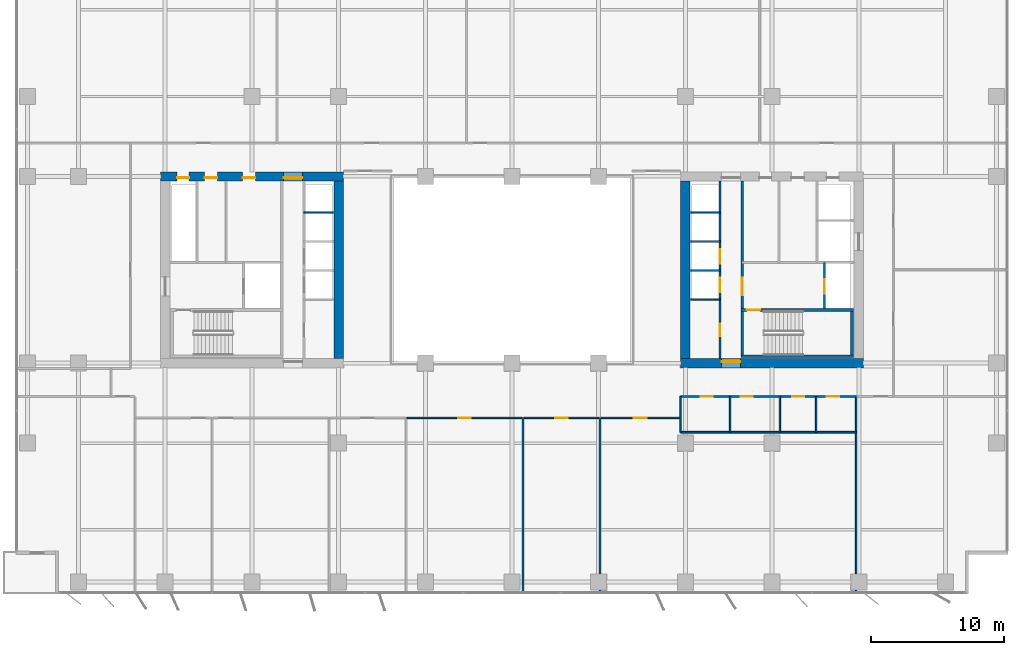
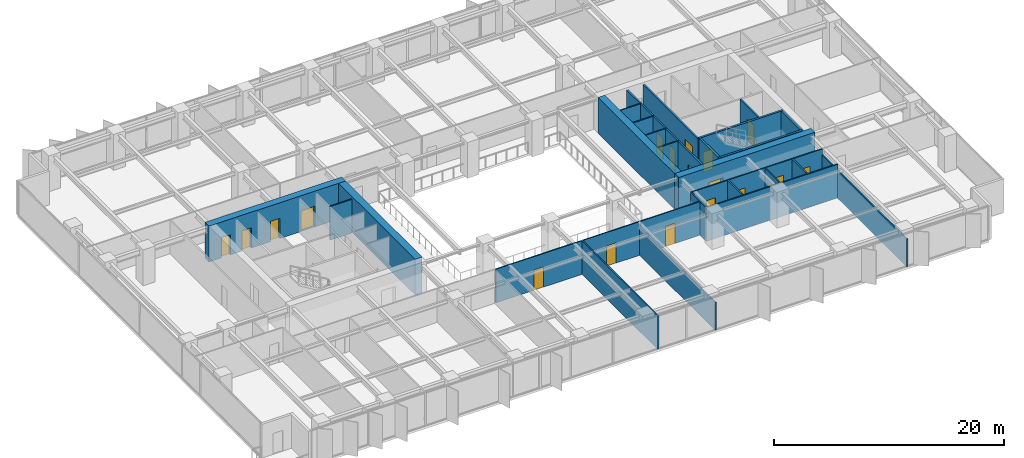
# One storey, part 14 of 20: 28 walls, 18 doors, 18 openings.
"""IFC4 building model written with IfcOpenShell, lengths in metres."""

from ifc_helpers import new_model, si_unit, direction, frame, frame_2d, origin, place, context, subcontext, project, spatial, rectangle, extrude, material, layer, layer_set, type_object, element, fill, save


model = new_model("IFC4")

# Units and contexts
model_context = context("Model", 3, precision=1e-05, world=origin(), true_north=direction((0.0, 1.0)))
body_context = subcontext(model_context, "Body", "Model", "MODEL_VIEW")
ifc_project = project(units=[si_unit("LENGTHUNIT", "METRE"), si_unit("AREAUNIT", "SQUARE_METRE"), si_unit("VOLUMEUNIT", "CUBIC_METRE"), si_unit("PLANEANGLEUNIT", "RADIAN"), si_unit("MASSUNIT", "GRAM", prefix="KILO")], contexts=[model_context])

# Site, building, storey
site_placement = place(None, origin())
site = spatial("IfcSite", under=ifc_project, at=site_placement, CompositionType="ELEMENT")
building_placement = place(site_placement, origin())
building = spatial("IfcBuilding", under=site, at=building_placement, Name="Putna Gate Headquarters", CompositionType="ELEMENT")
storey_placement = place(building_placement, frame((0.0, 0.0, 97.39990234375)))
storey = spatial("IfcBuildingStorey", under=building, at=storey_placement, Name="L23", CompositionType="ELEMENT", Elevation=97.39990234375)

# Wall, openings, doors
ifc_material_1 = material(Name="Concrete C60/75", Category="concrete")
ifc_layer_1 = layer(ifc_material_1, 0.699951171875)
ifc_layer_set_1 = layer_set([ifc_layer_1], Name="Concrete C60/75")
wall_type_1 = type_object("IfcWallType", Name="WALL-CORE-700", PredefinedType="SHEAR", material=ifc_layer_set_1)
wall_1_placement = place(storey_placement, frame((12.64990234375, 33.0, 0.0), z_axis=(0.0, 0.0, 1.0), x_axis=(1.0, 0.0, 0.0)))
wall_1 = element("IfcWall", 1, at=wall_1_placement, inside=storey, type_object=wall_type_1, Name="L23 WC Split Core Shear Wall N", PredefinedType="SHEAR", context=body_context, shape_type="SweptSolid", body=[
    extrude(rectangle(XDim=13.7001953125, YDim=0.699951171875, at=frame_2d((6.85009765625, 0.0))), origin(), (0.0, 0.0, 1.0), 3.800048828125),
])
opening_1_placement = place(wall_1_placement, frame((1.25, 0.0, 0.0)))
opening_1 = element("IfcOpeningElement", 2, at=opening_1_placement, cuts=wall_1, Name="Opening RD-90", PredefinedType="OPENING", context=body_context, shape_type="SweptSolid", body=[
    extrude(rectangle(XDim=0.89990234375, YDim=2.14990234375, at=frame_2d((0.449951171875, 1.074951171875))), frame((0.0, 0.35986328125, 0.0), z_axis=(0.0, -1.0, 0.0), x_axis=(1.0, 0.0, 0.0)), (0.0, 0.0, 1.0), 0.719970703125),
])
opening_2_placement = place(wall_1_placement, frame((3.300048828125, 0.0, 0.0)))
opening_2 = element("IfcOpeningElement", 3, at=opening_2_placement, cuts=wall_1, Name="Opening IDS-95", PredefinedType="OPENING", context=body_context, shape_type="SweptSolid", body=[
    extrude(rectangle(XDim=0.949951171875, YDim=2.14990234375, at=frame_2d((0.47509765625, 1.074951171875))), frame((0.0, 0.35986328125, 0.0), z_axis=(0.0, -1.0, 0.0), x_axis=(1.0, 0.0, 0.0)), (0.0, 0.0, 1.0), 0.719970703125),
])
opening_3_placement = place(wall_1_placement, frame((6.14990234375, 0.0, 0.0)))
opening_3 = element("IfcOpeningElement", 4, at=opening_3_placement, cuts=wall_1, Name="Opening IDS-95", PredefinedType="OPENING", context=body_context, shape_type="SweptSolid", body=[
    extrude(rectangle(XDim=0.949951171875, YDim=2.14990234375, at=frame_2d((0.47509765625, 1.074951171875))), frame((0.0, 0.35986328125, 0.0), z_axis=(0.0, -1.0, 0.0), x_axis=(1.0, 0.0, 0.0)), (0.0, 0.0, 1.0), 0.719970703125),
])
opening_4_placement = place(wall_1_placement, frame((9.22998046875, 0.0, 0.0)))
opening_4 = element("IfcOpeningElement", 5, at=opening_4_placement, cuts=wall_1, Name="Opening FDD-140", PredefinedType="OPENING", context=body_context, shape_type="SweptSolid", body=[
    extrude(rectangle(XDim=1.39990234375, YDim=2.199951171875, at=frame_2d((0.699951171875, 1.10009765625))), frame((0.0, 0.35986328125, 0.0), z_axis=(0.0, -1.0, 0.0), x_axis=(1.0, 0.0, 0.0)), (0.0, 0.0, 1.0), 0.719970703125),
])
ifc_material_2 = material(Name="Double steel fire door", Category="steel")
door_type_1 = type_object("IfcDoorType", Name="DOOR-FIRE-DBL-1400", OperationType="DOUBLE_DOOR_SINGLE_SWING", PredefinedType="DOOR", material=ifc_material_2)
door_1_placement = place(opening_4_placement, origin())
door_1 = element("IfcDoor", 6, at=door_1_placement, inside=storey, type_object=door_type_1, Name="L23 West Lift Lobby North Door", OperationType="DOUBLE_DOOR_SINGLE_SWING", OverallHeight=2.199951171875, OverallWidth=1.39990234375, PredefinedType="DOOR", context=body_context, shape_type="SweptSolid", body=[
    extrude(rectangle(XDim=1.39990234375, YDim=2.199951171875, at=frame_2d((0.699951171875, 1.10009765625))), frame((0.0, -0.0751953125, 0.0), z_axis=(0.0, -1.0, 0.0), x_axis=(1.0, 0.0, 0.0)), (0.0, 0.0, 1.0), 0.050048828125),
])
fill(opening_4, door_1)
ifc_material_3 = material(Name="Fire-rated service timber door", Category="wood")
door_type_2 = type_object("IfcDoorType", Name="DOOR-INT-950", OperationType="NOTDEFINED", PredefinedType="DOOR", material=ifc_material_3)
door_2_placement = place(opening_2_placement, origin())
door_2 = element("IfcDoor", 7, at=door_2_placement, inside=storey, type_object=door_type_2, Name="L23 Archive Store Door", OperationType="SINGLE_SWING_LEFT", OverallHeight=2.14990234375, OverallWidth=0.949951171875, PredefinedType="DOOR", context=body_context, shape_type="SweptSolid", body=[
    extrude(rectangle(XDim=0.949951171875, YDim=2.14990234375, at=frame_2d((0.47509765625, 1.074951171875))), frame((0.0, -0.0751953125, 0.0), z_axis=(0.0, -1.0, 0.0), x_axis=(1.0, 0.0, 0.0)), (0.0, 0.0, 1.0), 0.050048828125),
])
fill(opening_2, door_2)
door_3_placement = place(opening_3_placement, origin())
door_3 = element("IfcDoor", 8, at=door_3_placement, inside=storey, type_object=door_type_2, Name="L23 Switchgear Plant Door", OperationType="SINGLE_SWING_RIGHT", OverallHeight=2.14990234375, OverallWidth=0.949951171875, PredefinedType="DOOR", context=body_context, shape_type="SweptSolid", body=[
    extrude(rectangle(XDim=0.949951171875, YDim=2.14990234375, at=frame_2d((0.47509765625, 1.074951171875))), frame((0.0, -0.0751953125, 0.0), z_axis=(0.0, -1.0, 0.0), x_axis=(1.0, 0.0, 0.0)), (0.0, 0.0, 1.0), 0.050048828125),
])
fill(opening_3, door_3)
ifc_material_4 = material(Name="Steel riser access fire door", Category="steel")
door_type_3 = type_object("IfcDoorType", Name="DOOR-RISER-900", OperationType="NOTDEFINED", PredefinedType="DOOR", material=ifc_material_4)
door_4_placement = place(opening_1_placement, origin())
door_4 = element("IfcDoor", 9, at=door_4_placement, inside=storey, type_object=door_type_3, Name="L23 West Riser Access Door", OperationType="SINGLE_SWING_RIGHT", OverallHeight=2.14990234375, OverallWidth=0.89990234375, PredefinedType="DOOR", context=body_context, shape_type="SweptSolid", body=[
    extrude(rectangle(XDim=0.89990234375, YDim=2.14990234375, at=frame_2d((0.449951171875, 1.074951171875))), frame((0.0, -0.0751953125, 0.0), z_axis=(0.0, -1.0, 0.0), x_axis=(1.0, 0.0, 0.0)), (0.0, 0.0, 1.0), 0.050048828125),
])
fill(opening_1, door_4)

# Wall
wall_2_placement = place(storey_placement, frame((26.0, 19.35009765625, 0.0), z_axis=(0.0, 0.0, 1.0), x_axis=(0.0, 1.0, 0.0)))
element("IfcWall", 10, at=wall_2_placement, inside=storey, type_object=wall_type_1, Name="L23 WC Split Core Shear Wall E", PredefinedType="SHEAR", context=body_context, shape_type="SweptSolid", body=[
    extrude(rectangle(XDim=13.2998046875, YDim=0.699951171875, at=frame_2d((6.64990234375, 0.0))), origin(), (0.0, 0.0, 1.0), 3.800048828125),
])

# Wall, opening, door
wall_3_placement = place(storey_placement, frame((51.64990234375, 19.0, 0.0), z_axis=(0.0, 0.0, 1.0), x_axis=(1.0, 0.0, 0.0)))
wall_3 = element("IfcWall", 11, at=wall_3_placement, inside=storey, type_object=wall_type_1, Name="L23 EC Split Core Shear Wall S", PredefinedType="SHEAR", context=body_context, shape_type="SweptSolid", body=[
    extrude(rectangle(XDim=13.7001953125, YDim=0.699951171875, at=frame_2d((6.85009765625, 0.0))), origin(), (0.0, 0.0, 1.0), 3.800048828125),
])
opening_5_placement = place(wall_3_placement, frame((3.070068359375, 0.0, 0.0)))
opening_5 = element("IfcOpeningElement", 12, at=opening_5_placement, cuts=wall_3, Name="Opening FDD-140", PredefinedType="OPENING", context=body_context, shape_type="SweptSolid", body=[
    extrude(rectangle(XDim=1.39990234375, YDim=2.199951171875, at=frame_2d((0.699951171875, 1.10009765625))), frame((0.0, 0.35986328125, 0.0), z_axis=(0.0, -1.0, 0.0), x_axis=(1.0, 0.0, 0.0)), (0.0, 0.0, 1.0), 0.719970703125),
])
door_5_placement = place(opening_5_placement, origin())
door_5 = element("IfcDoor", 13, at=door_5_placement, inside=storey, type_object=door_type_1, Name="L23 East Lift Lobby South Door", OperationType="DOUBLE_DOOR_SINGLE_SWING", OverallHeight=2.199951171875, OverallWidth=1.39990234375, PredefinedType="DOOR", context=body_context, shape_type="SweptSolid", body=[
    extrude(rectangle(XDim=1.39990234375, YDim=2.199951171875, at=frame_2d((0.699951171875, 1.10009765625))), frame((0.0, 0.125, 0.0), z_axis=(0.0, -1.0, 0.0), x_axis=(1.0, 0.0, 0.0)), (0.0, 0.0, 1.0), 0.050048828125),
])
fill(opening_5, door_5)

# Walls
wall_4_placement = place(storey_placement, frame((52.0, 19.35009765625, 0.0), z_axis=(0.0, 0.0, 1.0), x_axis=(0.0, 1.0, 0.0)))
element("IfcWall", 14, at=wall_4_placement, inside=storey, type_object=wall_type_1, Name="L23 EC Split Core Shear Wall W", PredefinedType="SHEAR", context=body_context, shape_type="SweptSolid", body=[
    extrude(rectangle(XDim=13.2998046875, YDim=0.699951171875, at=frame_2d((6.64990234375, 0.0))), origin(), (0.0, 0.0, 1.0), 3.800048828125),
])
ifc_material_5 = material(Name="Acoustic gypsum board on metal stud")
ifc_layer_2 = layer(ifc_material_5, 0.1201171875)
ifc_layer_set_2 = layer_set([ifc_layer_2], Name="Acoustic gypsum board on metal stud")
wall_type_2 = type_object("IfcWallType", Name="WALL-PART-120", PredefinedType="PARTITIONING", material=ifc_layer_set_2)
wall_5_placement = place(storey_placement, frame((39.826904296875, 1.719970703125, 0.0), z_axis=(0.0, 0.0, 1.0), x_axis=(0.0, 1.0, 0.0)))
element("IfcWall", 15, at=wall_5_placement, inside=storey, type_object=wall_type_2, Name="L23 Interior Wall PART-L23-SB-DIV-05", PredefinedType="PARTITIONING", context=body_context, shape_type="SweptSolid", body=[
    extrude(rectangle(XDim=13.1201171875, YDim=0.1201171875, at=frame_2d((6.56005859375, 0.0))), origin(), (0.0, 0.0, 1.0), 3.565185546875),
])
wall_6_placement = place(storey_placement, frame((45.60009765625, 1.719970703125, 0.0), z_axis=(0.0, 0.0, 1.0), x_axis=(0.0, 1.0, 0.0)))
element("IfcWall", 16, at=wall_6_placement, inside=storey, type_object=wall_type_2, Name="L23 Interior Wall PART-L23-SB-DIV-06", PredefinedType="PARTITIONING", context=body_context, shape_type="SweptSolid", body=[
    extrude(rectangle(XDim=13.1201171875, YDim=0.1201171875, at=frame_2d((6.56005859375, 0.0))), origin(), (0.0, 0.0, 1.0), 2.965087890625),
])
wall_7_placement = place(storey_placement, frame((64.800048828125, 1.719970703125, 0.0), z_axis=(0.0, 0.0, 1.0), x_axis=(0.0, 1.0, 0.0)))
element("IfcWall", 17, at=wall_7_placement, inside=storey, type_object=wall_type_2, Name="L23 Interior Wall PART-L23-SB-DIV-07", PredefinedType="PARTITIONING", context=body_context, shape_type="SweptSolid", body=[
    extrude(rectangle(XDim=14.719970703125, YDim=0.1201171875, at=frame_2d((7.35986328125, 0.0))), origin(), (0.0, 0.0, 1.0), 2.965087890625),
])
ifc_material_6 = material(Name="Fire-rated shaftwall gypsum board on metal stud")
ifc_layer_3 = layer(ifc_material_6, 0.1201171875)
ifc_layer_set_3 = layer_set([ifc_layer_3], Name="Fire-rated shaftwall gypsum board on metal stud")
wall_type_3 = type_object("IfcWallType", Name="WALL-PART-120-EI120", PredefinedType="PARTITIONING", material=ifc_layer_set_3)
for number, where, z_axis, x_axis, name in (
    (18, (23.39990234375, 30.31005859375, 0.0), (0.0, 0.0, 1.0), (1.0, 0.0, 0.0), "L23 Interior Wall CWINT-L23-WC-LF09-DIV"),
    (19, (52.39990234375, 25.949951171875, 0.0), (0.0, 0.0, 1.0), (1.0, 0.0, 0.0), "L23 Interior Wall CWINT-L23-EC-LF07-DIV"),
    (20, (52.39990234375, 28.1201171875, 0.0), (0.0, 0.0, 1.0), (1.0, 0.0, 0.0), "L23 Interior Wall CWINT-L23-EC-LF08-DIV"),
    (21, (52.39990234375, 30.31005859375, 0.0), (0.0, 0.0, 1.0), (1.0, 0.0, 0.0), "L23 Interior Wall CWINT-L23-EC-LF11-DIV"),
):
    element("IfcWall", number, at=place(storey_placement, frame(where, z_axis=z_axis, x_axis=x_axis)), inside=storey, type_object=wall_type_3, Name=name, PredefinedType="PARTITIONING", context=body_context, shape_type="SweptSolid", body=[
        extrude(rectangle(XDim=2.2001953125, YDim=0.1201171875, at=frame_2d((1.10009765625, 0.0))), origin(), (0.0, 0.0, 1.0), 3.565185546875),
    ])
ifc_material_7 = material(Name="Fire-rated gypsum board on metal stud")
ifc_layer_4 = layer(ifc_material_7, 0.1201171875)
ifc_layer_set_4 = layer_set([ifc_layer_4], Name="Fire-rated gypsum board on metal stud")
wall_type_4 = type_object("IfcWallType", Name="WALL-PART-120-RATED", PredefinedType="PARTITIONING", material=ifc_layer_set_4)
wall_8_placement = place(storey_placement, frame((52.39990234375, 23.780029296875, 0.0), z_axis=(0.0, 0.0, 1.0), x_axis=(1.0, 0.0, 0.0)))
element("IfcWall", 22, at=wall_8_placement, inside=storey, type_object=wall_type_4, Name="L23 Interior Wall CWINT-L23-EC-LF04-DIV", PredefinedType="PARTITIONING", context=body_context, shape_type="SweptSolid", body=[
    extrude(rectangle(XDim=2.2001953125, YDim=0.1201171875, at=frame_2d((1.10009765625, 0.0))), origin(), (0.0, 0.0, 1.0), 3.565185546875),
])

# Wall, openings, doors
wall_9_placement = place(storey_placement, frame((51.639892578125, 16.5, 0.0), z_axis=(0.0, 0.0, 1.0), x_axis=(1.0, 0.0, 0.0)))
wall_9 = element("IfcWall", 23, at=wall_9_placement, inside=storey, type_object=wall_type_4, Name="L23 Interior Wall PART-L23-SAN-CW", PredefinedType="PARTITIONING", context=body_context, shape_type="SweptSolid", body=[
    extrude(rectangle(XDim=13.16015625, YDim=0.1201171875, at=frame_2d((6.580078125, 0.0))), origin(), (0.0, 0.0, 1.0), 3.565185546875),
])
opening_6_placement = place(wall_9_placement, frame((1.510009765625, 0.0, 0.0)))
opening_6 = element("IfcOpeningElement", 24, at=opening_6_placement, cuts=wall_9, Name="Opening FD-90", PredefinedType="OPENING", context=body_context, shape_type="SweptSolid", body=[
    extrude(rectangle(XDim=0.89990234375, YDim=2.14990234375, at=frame_2d((0.449951171875, 1.074951171875))), frame((0.0, 0.070068359375, 0.0), z_axis=(0.0, -1.0, 0.0), x_axis=(1.0, 0.0, 0.0)), (0.0, 0.0, 1.0), 0.14013671875),
])
opening_7_placement = place(wall_9_placement, frame((4.510009765625, 0.0, 0.0)))
opening_7 = element("IfcOpeningElement", 25, at=opening_7_placement, cuts=wall_9, Name="Opening FD-90", PredefinedType="OPENING", context=body_context, shape_type="SweptSolid", body=[
    extrude(rectangle(XDim=0.89990234375, YDim=2.14990234375, at=frame_2d((0.449951171875, 1.074951171875))), frame((0.0, 0.070068359375, 0.0), z_axis=(0.0, -1.0, 0.0), x_axis=(1.0, 0.0, 0.0)), (0.0, 0.0, 1.0), 0.14013671875),
])
opening_8_placement = place(wall_9_placement, frame((8.360107421875, 0.0, 0.0)))
opening_8 = element("IfcOpeningElement", 26, at=opening_8_placement, cuts=wall_9, Name="Opening FD-90", PredefinedType="OPENING", context=body_context, shape_type="SweptSolid", body=[
    extrude(rectangle(XDim=0.89990234375, YDim=2.14990234375, at=frame_2d((0.449951171875, 1.074951171875))), frame((0.0, 0.070068359375, 0.0), z_axis=(0.0, -1.0, 0.0), x_axis=(1.0, 0.0, 0.0)), (0.0, 0.0, 1.0), 0.14013671875),
])
opening_9_placement = place(wall_9_placement, frame((10.9599609375, 0.0, 0.0)))
opening_9 = element("IfcOpeningElement", 27, at=opening_9_placement, cuts=wall_9, Name="Opening FD-95", PredefinedType="OPENING", context=body_context, shape_type="SweptSolid", body=[
    extrude(rectangle(XDim=0.949951171875, YDim=2.14990234375, at=frame_2d((0.47509765625, 1.074951171875))), frame((0.0, 0.070068359375, 0.0), z_axis=(0.0, -1.0, 0.0), x_axis=(1.0, 0.0, 0.0)), (0.0, 0.0, 1.0), 0.14013671875),
])
ifc_material_8 = material(Name="Acoustic washroom fire door")
door_type_4 = type_object("IfcDoorType", Name="DOOR-FIRE-900", OperationType="NOTDEFINED", PredefinedType="DOOR", material=ifc_material_8)
door_6_placement = place(opening_6_placement, origin())
door_6 = element("IfcDoor", 28, at=door_6_placement, inside=storey, type_object=door_type_4, Name="L23 Washroom Male Door", OperationType="SINGLE_SWING_LEFT", OverallHeight=2.14990234375, OverallWidth=0.89990234375, PredefinedType="DOOR", context=body_context, shape_type="SweptSolid", body=[
    extrude(rectangle(XDim=0.89990234375, YDim=2.14990234375, at=frame_2d((0.449951171875, 1.074951171875))), frame((0.0, 0.02490234375, 0.0), z_axis=(0.0, -1.0, 0.0), x_axis=(1.0, 0.0, 0.0)), (0.0, 0.0, 1.0), 0.050048828125),
])
fill(opening_6, door_6)
door_7_placement = place(opening_7_placement, origin())
door_7 = element("IfcDoor", 29, at=door_7_placement, inside=storey, type_object=door_type_4, Name="L23 Washroom Female Door", OperationType="SINGLE_SWING_RIGHT", OverallHeight=2.14990234375, OverallWidth=0.89990234375, PredefinedType="DOOR", context=body_context, shape_type="SweptSolid", body=[
    extrude(rectangle(XDim=0.89990234375, YDim=2.14990234375, at=frame_2d((0.449951171875, 1.074951171875))), frame((0.0, 0.02490234375, 0.0), z_axis=(0.0, -1.0, 0.0), x_axis=(1.0, 0.0, 0.0)), (0.0, 0.0, 1.0), 0.050048828125),
])
fill(opening_7, door_7)
door_8_placement = place(opening_8_placement, origin())
door_8 = element("IfcDoor", 30, at=door_8_placement, inside=storey, type_object=door_type_4, Name="L23 Accessible WC Door", OperationType="SINGLE_SWING_LEFT", OverallHeight=2.14990234375, OverallWidth=0.89990234375, PredefinedType="DOOR", context=body_context, shape_type="SweptSolid", body=[
    extrude(rectangle(XDim=0.89990234375, YDim=2.14990234375, at=frame_2d((0.449951171875, 1.074951171875))), frame((0.0, 0.02490234375, 0.0), z_axis=(0.0, -1.0, 0.0), x_axis=(1.0, 0.0, 0.0)), (0.0, 0.0, 1.0), 0.050048828125),
])
fill(opening_8, door_8)
ifc_material_9 = material(Name="Acoustic timber fire door", Category="wood")
door_type_5 = type_object("IfcDoorType", Name="DOOR-FIRE-950", OperationType="NOTDEFINED", PredefinedType="DOOR", material=ifc_material_9)
door_9_placement = place(opening_9_placement, origin())
door_9 = element("IfcDoor", 31, at=door_9_placement, inside=storey, type_object=door_type_5, Name="L23 Staff Pantry and Tea Point Door", OperationType="SINGLE_SWING_RIGHT", OverallHeight=2.14990234375, OverallWidth=0.949951171875, PredefinedType="DOOR", context=body_context, shape_type="SweptSolid", body=[
    extrude(rectangle(XDim=0.949951171875, YDim=2.14990234375, at=frame_2d((0.47509765625, 1.074951171875))), frame((0.0, 0.02490234375, 0.0), z_axis=(0.0, -1.0, 0.0), x_axis=(1.0, 0.0, 0.0)), (0.0, 0.0, 1.0), 0.050048828125),
])
fill(opening_9, door_9)

# Walls
wall_10_placement = place(storey_placement, frame((51.639892578125, 13.820068359375, 0.0), z_axis=(0.0, 0.0, 1.0), x_axis=(1.0, 0.0, 0.0)))
element("IfcWall", 32, at=wall_10_placement, inside=storey, type_object=wall_type_4, Name="L23 Interior Wall PART-L23-SAN-BACK", PredefinedType="PARTITIONING", context=body_context, shape_type="SweptSolid", body=[
    extrude(rectangle(XDim=13.16015625, YDim=0.1201171875, at=frame_2d((6.580078125, 0.0))), origin(), (0.0, 0.0, 1.0), 3.565185546875),
])
for number, where, z_axis, x_axis, name in (
    (33, (51.639892578125, 13.820068359375, 0.0), (0.0, 0.0, 1.0), (0.0, 1.0, 0.0), "L23 Interior Wall PART-L23-SAN-DIV-1"),
    (34, (55.360107421875, 13.820068359375, 0.0), (0.0, 0.0, 1.0), (0.0, 1.0, 0.0), "L23 Interior Wall PART-L23-SAN-DIV-2"),
    (35, (59.080078125, 13.820068359375, 0.0), (0.0, 0.0, 1.0), (0.0, 1.0, 0.0), "L23 Interior Wall PART-L23-SAN-DIV-3"),
    (36, (61.800048828125, 13.820068359375, 0.0), (0.0, 0.0, 1.0), (0.0, 1.0, 0.0), "L23 Interior Wall PART-L23-SAN-DIV-4"),
):
    element("IfcWall", number, at=place(storey_placement, frame(where, z_axis=z_axis, x_axis=x_axis)), inside=storey, type_object=wall_type_4, Name=name, PredefinedType="PARTITIONING", context=body_context, shape_type="SweptSolid", body=[
        extrude(rectangle(XDim=2.679931640625, YDim=0.1201171875, at=frame_2d((1.33984375, 0.0))), origin(), (0.0, 0.0, 1.0), 3.565185546875),
    ])

# Wall, opening, door
wall_11_placement = place(storey_placement, frame((31.1201171875, 14.89990234375, 0.0), z_axis=(0.0, 0.0, 1.0), x_axis=(1.0, 0.0, 0.0)))
wall_11 = element("IfcWall", 37, at=wall_11_placement, inside=storey, type_object=wall_type_4, Name="L23 Interior Wall PART-L23-SB-CW-05", PredefinedType="PARTITIONING", context=body_context, shape_type="SweptSolid", body=[
    extrude(rectangle(XDim=8.646728515625, YDim=0.1201171875, at=frame_2d((4.3232421875, 0.0))), origin(), (0.0, 0.0, 1.0), 3.565185546875),
])
opening_10_placement = place(wall_11_placement, frame((3.848388671875, 0.0, 0.0)))
opening_10 = element("IfcOpeningElement", 38, at=opening_10_placement, cuts=wall_11, Name="Opening FD-95", PredefinedType="OPENING", context=body_context, shape_type="SweptSolid", body=[
    extrude(rectangle(XDim=0.949951171875, YDim=2.14990234375, at=frame_2d((0.47509765625, 1.074951171875))), frame((0.0, 0.070068359375, 0.0), z_axis=(0.0, -1.0, 0.0), x_axis=(1.0, 0.0, 0.0)), (0.0, 0.0, 1.0), 0.14013671875),
])
door_10_placement = place(opening_10_placement, origin())
door_10 = element("IfcDoor", 39, at=door_10_placement, inside=storey, type_object=door_type_5, Name="L23 Collaborative Breakout Lounge 1 Door", OperationType="SINGLE_SWING_LEFT", OverallHeight=2.14990234375, OverallWidth=0.949951171875, PredefinedType="DOOR", context=body_context, shape_type="SweptSolid", body=[
    extrude(rectangle(XDim=0.949951171875, YDim=2.14990234375, at=frame_2d((0.47509765625, 1.074951171875))), frame((0.0, 0.02490234375, 0.0), z_axis=(0.0, -1.0, 0.0), x_axis=(1.0, 0.0, 0.0)), (0.0, 0.0, 1.0), 0.050048828125),
])
fill(opening_10, door_10)

wall_12_placement = place(storey_placement, frame((39.88671875, 14.89990234375, 0.0), z_axis=(0.0, 0.0, 1.0), x_axis=(1.0, 0.0, 0.0)))
wall_12 = element("IfcWall", 40, at=wall_12_placement, inside=storey, type_object=wall_type_4, Name="L23 Interior Wall PART-L23-SB-CW-06", PredefinedType="PARTITIONING", context=body_context, shape_type="SweptSolid", body=[
    extrude(rectangle(XDim=5.6533203125, YDim=0.1201171875, at=frame_2d((2.82666015625, 0.0))), origin(), (0.0, 0.0, 1.0), 3.565185546875),
])
opening_11_placement = place(wall_12_placement, frame((2.3515625, 0.0, 0.0)))
opening_11 = element("IfcOpeningElement", 41, at=opening_11_placement, cuts=wall_12, Name="Opening FD-95", PredefinedType="OPENING", context=body_context, shape_type="SweptSolid", body=[
    extrude(rectangle(XDim=0.949951171875, YDim=2.14990234375, at=frame_2d((0.47509765625, 1.074951171875))), frame((0.0, 0.070068359375, 0.0), z_axis=(0.0, -1.0, 0.0), x_axis=(1.0, 0.0, 0.0)), (0.0, 0.0, 1.0), 0.14013671875),
])
door_11_placement = place(opening_11_placement, origin())
door_11 = element("IfcDoor", 42, at=door_11_placement, inside=storey, type_object=door_type_5, Name="L23 Collaborative Breakout Lounge 2 Door", OperationType="SINGLE_SWING_RIGHT", OverallHeight=2.14990234375, OverallWidth=0.949951171875, PredefinedType="DOOR", context=body_context, shape_type="SweptSolid", body=[
    extrude(rectangle(XDim=0.949951171875, YDim=2.14990234375, at=frame_2d((0.47509765625, 1.074951171875))), frame((0.0, 0.02490234375, 0.0), z_axis=(0.0, -1.0, 0.0), x_axis=(1.0, 0.0, 0.0)), (0.0, 0.0, 1.0), 0.050048828125),
])
fill(opening_11, door_11)

wall_13_placement = place(storey_placement, frame((45.659912109375, 14.89990234375, 0.0), z_axis=(0.0, 0.0, 1.0), x_axis=(1.0, 0.0, 0.0)))
wall_13 = element("IfcWall", 43, at=wall_13_placement, inside=storey, type_object=wall_type_4, Name="L23 Interior Wall PART-L23-SB-CW-07", PredefinedType="PARTITIONING", context=body_context, shape_type="SweptSolid", body=[
    extrude(rectangle(XDim=5.920166015625, YDim=0.1201171875, at=frame_2d((2.9599609375, 0.0))), origin(), (0.0, 0.0, 1.0), 3.565185546875),
])
opening_12_placement = place(wall_13_placement, frame((2.485107421875, 0.0, 0.0)))
opening_12 = element("IfcOpeningElement", 44, at=opening_12_placement, cuts=wall_13, Name="Opening FD-95", PredefinedType="OPENING", context=body_context, shape_type="SweptSolid", body=[
    extrude(rectangle(XDim=0.949951171875, YDim=2.14990234375, at=frame_2d((0.47509765625, 1.074951171875))), frame((0.0, 0.070068359375, 0.0), z_axis=(0.0, -1.0, 0.0), x_axis=(1.0, 0.0, 0.0)), (0.0, 0.0, 1.0), 0.14013671875),
])
door_12_placement = place(opening_12_placement, origin())
door_12 = element("IfcDoor", 45, at=door_12_placement, inside=storey, type_object=door_type_5, Name="L23 Primary Open Office Workplace Door", OperationType="SINGLE_SWING_LEFT", OverallHeight=2.14990234375, OverallWidth=0.949951171875, PredefinedType="DOOR", context=body_context, shape_type="SweptSolid", body=[
    extrude(rectangle(XDim=0.949951171875, YDim=2.14990234375, at=frame_2d((0.47509765625, 1.074951171875))), frame((0.0, 0.02490234375, 0.0), z_axis=(0.0, -1.0, 0.0), x_axis=(1.0, 0.0, 0.0)), (0.0, 0.0, 1.0), 0.050048828125),
])
fill(opening_12, door_12)

# Wall, openings, doors
ifc_material_10 = material(Name="Concrete C40/50", Category="concrete")
ifc_layer_5 = layer(ifc_material_10, 0.159912109375)
ifc_layer_set_5 = layer_set([ifc_layer_5], Name="Concrete C40/50")
wall_type_5 = type_object("IfcWallType", Name="WALL-SHAFT-160", PredefinedType="STANDARD", material=ifc_layer_set_5)
wall_14_placement = place(storey_placement, frame((54.60009765625, 19.35009765625, 0.0), z_axis=(0.0, 0.0, 1.0), x_axis=(0.0, 1.0, 0.0)))
wall_14 = element("IfcWall", 46, at=wall_14_placement, inside=storey, type_object=wall_type_5, Name="L23 Interior Wall CWINT-L23-EC-PL-WALL", PredefinedType="STANDARD", context=body_context, shape_type="SweptSolid", body=[
    extrude(rectangle(XDim=13.2998046875, YDim=0.159912109375, at=frame_2d((6.64990234375, 0.0))), origin(), (0.0, 0.0, 1.0), 3.565185546875),
])
opening_13_placement = place(wall_14_placement, frame((1.64990234375, 0.0, 0.0)))
opening_13 = element("IfcOpeningElement", 47, at=opening_13_placement, cuts=wall_14, Name="Opening IDS-95", PredefinedType="OPENING", context=body_context, shape_type="SweptSolid", body=[
    extrude(rectangle(XDim=0.949951171875, YDim=2.14990234375, at=frame_2d((0.47509765625, 1.074951171875))), frame((0.0, 0.08984375, 0.0), z_axis=(0.0, -1.0, 0.0), x_axis=(1.0, 0.0, 0.0)), (0.0, 0.0, 1.0), 0.179931640625),
])
opening_14_placement = place(wall_14_placement, frame((4.949951171875, 0.0, 0.0)))
opening_14 = element("IfcOpeningElement", 48, at=opening_14_placement, cuts=wall_14, Name="Opening LD-1", PredefinedType="OPENING", context=body_context, shape_type="SweptSolid", body=[
    extrude(rectangle(XDim=1.10009765625, YDim=2.199951171875, at=frame_2d((0.550048828125, 1.10009765625))), frame((0.0, 0.08984375, 0.0), z_axis=(0.0, -1.0, 0.0), x_axis=(1.0, 0.0, 0.0)), (0.0, 0.0, 1.0), 0.179931640625),
])
opening_15_placement = place(wall_14_placement, frame((7.10009765625, 0.0, 0.0)))
opening_15 = element("IfcOpeningElement", 49, at=opening_15_placement, cuts=wall_14, Name="Opening LD-1", PredefinedType="OPENING", context=body_context, shape_type="SweptSolid", body=[
    extrude(rectangle(XDim=1.10009765625, YDim=2.199951171875, at=frame_2d((0.550048828125, 1.10009765625))), frame((0.0, 0.08984375, 0.0), z_axis=(0.0, -1.0, 0.0), x_axis=(1.0, 0.0, 0.0)), (0.0, 0.0, 1.0), 0.179931640625),
])
door_13_placement = place(opening_13_placement, origin())
door_13 = element("IfcDoor", 50, at=door_13_placement, inside=storey, type_object=door_type_2, Name="L23 Stationery Store Door", OperationType="SINGLE_SWING_RIGHT", OverallHeight=2.14990234375, OverallWidth=0.949951171875, PredefinedType="DOOR", context=body_context, shape_type="SweptSolid", body=[
    extrude(rectangle(XDim=0.949951171875, YDim=2.14990234375, at=frame_2d((0.47509765625, 1.074951171875))), frame((0.0, 0.02490234375, 0.0), z_axis=(0.0, -1.0, 0.0), x_axis=(1.0, 0.0, 0.0)), (0.0, 0.0, 1.0), 0.050048828125),
])
fill(opening_13, door_13)
ifc_material_11 = material(Name="Brushed bronze stainless lift landing door")
door_type_6 = type_object("IfcDoorType", Name="DOOR-LIFT-1100", OperationType="DOUBLE_DOOR_SLIDING", PredefinedType="DOOR", material=ifc_material_11)
door_14_placement = place(opening_14_placement, origin())
door_14 = element("IfcDoor", 51, at=door_14_placement, inside=storey, type_object=door_type_6, Name="L23 Lift Landing Door LD-07", OperationType="DOUBLE_DOOR_SLIDING", OverallHeight=2.199951171875, OverallWidth=1.10009765625, PredefinedType="DOOR", context=body_context, shape_type="SweptSolid", body=[
    extrude(rectangle(XDim=1.10009765625, YDim=2.199951171875, at=frame_2d((0.550048828125, 1.10009765625))), frame((0.0, 0.02490234375, 0.0), z_axis=(0.0, -1.0, 0.0), x_axis=(1.0, 0.0, 0.0)), (0.0, 0.0, 1.0), 0.050048828125),
])
fill(opening_14, door_14)
door_15_placement = place(opening_15_placement, origin())
door_15 = element("IfcDoor", 52, at=door_15_placement, inside=storey, type_object=door_type_6, Name="L23 Lift Landing Door LD-08", OperationType="DOUBLE_DOOR_SLIDING", OverallHeight=2.199951171875, OverallWidth=1.10009765625, PredefinedType="DOOR", context=body_context, shape_type="SweptSolid", body=[
    extrude(rectangle(XDim=1.10009765625, YDim=2.199951171875, at=frame_2d((0.550048828125, 1.10009765625))), frame((0.0, 0.02490234375, 0.0), z_axis=(0.0, -1.0, 0.0), x_axis=(1.0, 0.0, 0.0)), (0.0, 0.0, 1.0), 0.050048828125),
])
fill(opening_15, door_15)

# Wall, opening, door
wall_15_placement = place(storey_placement, frame((56.260009765625, 23.090087890625, 0.0), z_axis=(0.0, 0.0, 1.0), x_axis=(0.0, 1.0, 0.0)))
wall_15 = element("IfcWall", 53, at=wall_15_placement, inside=storey, type_object=wall_type_5, Name="L23 Interior Wall CWINT-L23-EC-LOB-E", PredefinedType="STANDARD", context=body_context, shape_type="SweptSolid", body=[
    extrude(rectangle(XDim=9.559814453125, YDim=0.159912109375, at=frame_2d((4.77978515625, 0.0))), origin(), (0.0, 0.0, 1.0), 3.565185546875),
])
opening_16_placement = place(wall_15_placement, frame((1.010009765625, 0.0, 0.0)))
opening_16 = element("IfcOpeningElement", 54, at=opening_16_placement, cuts=wall_15, Name="Opening FDD-130", PredefinedType="OPENING", context=body_context, shape_type="SweptSolid", body=[
    extrude(rectangle(XDim=1.300048828125, YDim=2.199951171875, at=frame_2d((0.64990234375, 1.10009765625))), frame((0.0, 0.08984375, 0.0), z_axis=(0.0, -1.0, 0.0), x_axis=(1.0, 0.0, 0.0)), (0.0, 0.0, 1.0), 0.179931640625),
])
ifc_material_12 = material(Name="Double steel lobby fire door", Category="steel")
door_type_7 = type_object("IfcDoorType", Name="DOOR-FIRE-DBL-1300", OperationType="DOUBLE_DOOR_SINGLE_SWING", PredefinedType="DOOR", material=ifc_material_12)
door_16_placement = place(opening_16_placement, origin())
door_16 = element("IfcDoor", 55, at=door_16_placement, inside=storey, type_object=door_type_7, Name="L23 East Firefighting Lobby Door", OperationType="DOUBLE_DOOR_SINGLE_SWING", OverallHeight=2.199951171875, OverallWidth=1.300048828125, PredefinedType="DOOR", context=body_context, shape_type="SweptSolid", body=[
    extrude(rectangle(XDim=1.300048828125, YDim=2.199951171875, at=frame_2d((0.64990234375, 1.10009765625))), frame((0.0, 0.02490234375, 0.0), z_axis=(0.0, -1.0, 0.0), x_axis=(1.0, 0.0, 0.0)), (0.0, 0.0, 1.0), 0.050048828125),
])
fill(opening_16, door_16)

wall_16_placement = place(storey_placement, frame((62.429931640625, 23.090087890625, 0.0), z_axis=(0.0, 0.0, 1.0), x_axis=(0.0, 1.0, 0.0)))
wall_16 = element("IfcWall", 56, at=wall_16_placement, inside=storey, type_object=wall_type_5, Name="L23 Interior Wall CWINT-L23-EC-LF14-W", PredefinedType="STANDARD", context=body_context, shape_type="SweptSolid", body=[
    extrude(rectangle(XDim=3.469970703125, YDim=0.159912109375, at=frame_2d((1.73486328125, 0.0))), origin(), (0.0, 0.0, 1.0), 3.565185546875),
])
opening_17_placement = place(wall_16_placement, frame((1.10009765625, 0.0, 0.0)))
opening_17 = element("IfcOpeningElement", 57, at=opening_17_placement, cuts=wall_16, Name="Opening LD-1", PredefinedType="OPENING", context=body_context, shape_type="SweptSolid", body=[
    extrude(rectangle(XDim=1.10009765625, YDim=2.199951171875, at=frame_2d((0.550048828125, 1.10009765625))), frame((0.0, 0.08984375, 0.0), z_axis=(0.0, -1.0, 0.0), x_axis=(1.0, 0.0, 0.0)), (0.0, 0.0, 1.0), 0.179931640625),
])
door_17_placement = place(opening_17_placement, origin())
door_17 = element("IfcDoor", 58, at=door_17_placement, inside=storey, type_object=door_type_6, Name="L23 Lift Landing Door LD-14", OperationType="DOUBLE_DOOR_SLIDING", OverallHeight=2.199951171875, OverallWidth=1.10009765625, PredefinedType="DOOR", context=body_context, shape_type="SweptSolid", body=[
    extrude(rectangle(XDim=1.10009765625, YDim=2.199951171875, at=frame_2d((0.550048828125, 1.10009765625))), frame((0.0, 0.02490234375, 0.0), z_axis=(0.0, -1.0, 0.0), x_axis=(1.0, 0.0, 0.0)), (0.0, 0.0, 1.0), 0.050048828125),
])
fill(opening_17, door_17)

# Wall
ifc_layer_6 = layer(ifc_material_10, 0.199951171875)
ifc_layer_set_6 = layer_set([ifc_layer_6], Name="Concrete C40/50")
wall_type_6 = type_object("IfcWallType", Name="WALL-SHAFT-RC200", PredefinedType="SHEAR", material=ifc_layer_set_6)
wall_17_placement = place(storey_placement, frame((56.159912109375, 19.510009765625, 0.0), z_axis=(0.0, 0.0, 1.0), x_axis=(1.0, 0.0, 0.0)))
element("IfcWall", 59, at=wall_17_placement, inside=storey, type_object=wall_type_6, Name="L23 Stair ST2 Structural Shaft Wall S", PredefinedType="SHEAR", context=body_context, shape_type="SweptSolid", body=[
    extrude(rectangle(XDim=8.43017578125, YDim=0.199951171875, at=frame_2d((4.215087890625, 0.0))), origin(), (0.0, 0.0, 1.0), 3.800048828125),
])

# Wall, opening, door
wall_18_placement = place(storey_placement, frame((56.159912109375, 22.989990234375, 0.0), z_axis=(0.0, 0.0, 1.0), x_axis=(1.0, 0.0, 0.0)))
wall_18 = element("IfcWall", 60, at=wall_18_placement, inside=storey, type_object=wall_type_6, Name="L23 Stair ST2 Structural Shaft Wall N", PredefinedType="SHEAR", context=body_context, shape_type="SweptSolid", body=[
    extrude(rectangle(XDim=8.43017578125, YDim=0.199951171875, at=frame_2d((4.215087890625, 0.0))), origin(), (0.0, 0.0, 1.0), 3.800048828125),
])
opening_18_placement = place(wall_18_placement, frame((0.449951171875, 0.0, 0.0)))
opening_18 = element("IfcOpeningElement", 61, at=opening_18_placement, cuts=wall_18, Name="Opening FD-100", PredefinedType="OPENING", context=body_context, shape_type="SweptSolid", body=[
    extrude(rectangle(XDim=1.0, YDim=2.14990234375, at=frame_2d((0.5, 1.074951171875))), frame((0.0, 0.10986328125, 0.0), z_axis=(0.0, -1.0, 0.0), x_axis=(1.0, 0.0, 0.0)), (0.0, 0.0, 1.0), 0.219970703125),
])
ifc_material_13 = material(Name="Powder-coated steel fire door", Category="steel")
door_type_8 = type_object("IfcDoorType", Name="DOOR-FIRE-1000", OperationType="NOTDEFINED", PredefinedType="DOOR", material=ifc_material_13)
door_18_placement = place(opening_18_placement, origin())
door_18 = element("IfcDoor", 62, at=door_18_placement, inside=storey, type_object=door_type_8, Name="L23 Stair ST2 Fire Door", OperationType="SINGLE_SWING_RIGHT", OverallHeight=2.14990234375, OverallWidth=1.0, PredefinedType="DOOR", context=body_context, shape_type="SweptSolid", body=[
    extrude(rectangle(XDim=1.0, YDim=2.14990234375, at=frame_2d((0.5, 1.074951171875))), frame((0.0, 0.02490234375, 0.0), z_axis=(0.0, -1.0, 0.0), x_axis=(1.0, 0.0, 0.0)), (0.0, 0.0, 1.0), 0.050048828125),
])
fill(opening_18, door_18)

# Walls
for number, where, z_axis, x_axis, name in (
    (63, (56.260009765625, 19.610107421875, 0.0), (0.0, 0.0, 1.0), (0.0, 1.0, 0.0), "L23 Stair ST2 Structural Shaft Wall W"),
    (64, (64.489990234375, 19.610107421875, 0.0), (0.0, 0.0, 1.0), (0.0, 1.0, 0.0), "L23 Stair ST2 Structural Shaft Wall E"),
):
    element("IfcWall", number, at=place(storey_placement, frame(where, z_axis=z_axis, x_axis=x_axis)), inside=storey, type_object=wall_type_6, Name=name, PredefinedType="SHEAR", context=body_context, shape_type="SweptSolid", body=[
        extrude(rectangle(XDim=3.27978515625, YDim=0.199951171875, at=frame_2d((1.639892578125, 0.0))), origin(), (0.0, 0.0, 1.0), 3.800048828125),
    ])

save(model, "model.ifc")
